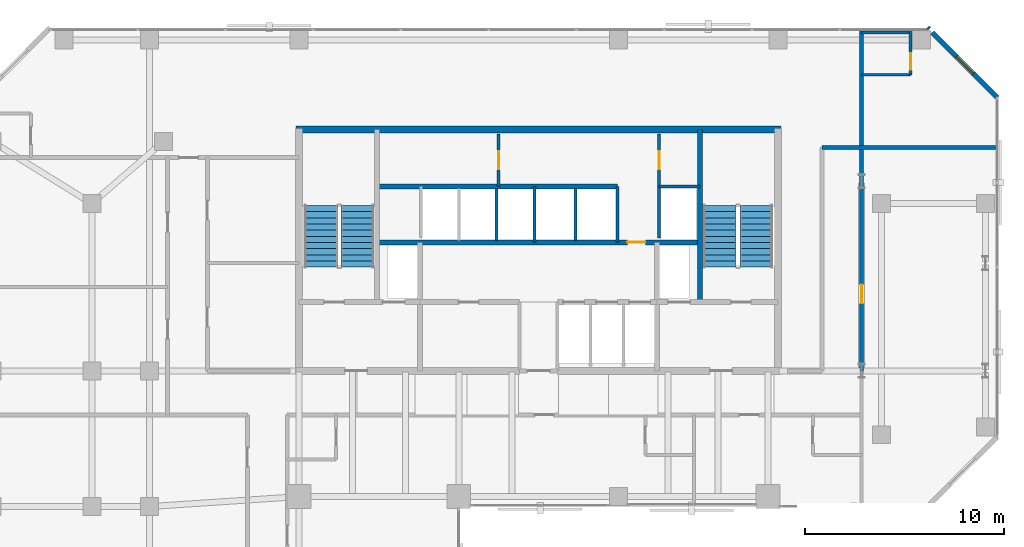
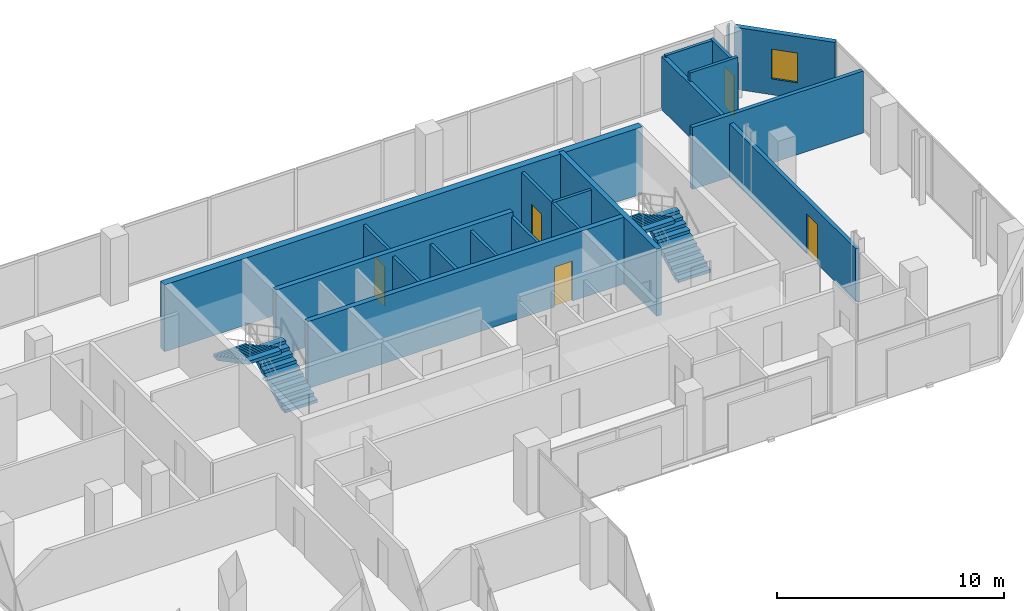
# One storey, part 30 of 33: 19 walls, 5 doors, 4 stair flights, 1 window, 6 openings, 2 elements without a shape of their own.
"""IFC4 building model written with IfcOpenShell, lengths in metres."""

from ifc_helpers import new_model, si_unit, direction, frame, frame_2d, origin, place, context, subcontext, project, spatial, polyline, rectangle, outline, extrude, material, layer, layer_set, type_object, element, fill, aggregate, save


model = new_model("IFC4")

# Units and contexts
model_context = context("Model", 3, precision=1e-05, world=origin(), true_north=direction((0.0, 1.0)))
body_context = subcontext(model_context, "Body", "Model", "MODEL_VIEW")
ifc_project = project(units=[si_unit("LENGTHUNIT", "METRE"), si_unit("AREAUNIT", "SQUARE_METRE"), si_unit("VOLUMEUNIT", "CUBIC_METRE"), si_unit("PLANEANGLEUNIT", "RADIAN"), si_unit("MASSUNIT", "GRAM", prefix="KILO")], contexts=[model_context])

# Site, building, storey
site_placement = place(None, origin())
site = spatial("IfcSite", under=ifc_project, at=site_placement, CompositionType="ELEMENT")
building_placement = place(site_placement, origin())
building = spatial("IfcBuilding", under=site, at=building_placement, Name="Catumbela Crestline Tower", CompositionType="ELEMENT")
storey_placement = place(building_placement, frame((0.0, 0.0, 104.4)))
storey = spatial("IfcBuildingStorey", under=building, at=storey_placement, Name="L26", CompositionType="ELEMENT", Elevation=104.4)

# Wall
ifc_material_1 = material(Name="Concrete C50/60", Category="concrete")
ifc_layer_1 = layer(ifc_material_1, 0.25, Name="Concrete C50/60")
ifc_layer_set_1 = layer_set([ifc_layer_1], Name="Concrete C50/60")
wall_type_1 = type_object("IfcWallType", Name="CW-250D", PredefinedType="SHEAR", material=ifc_layer_set_1)
wall_1_placement = place(storey_placement, frame((36.1, 34.25, 0.0), z_axis=(0.0, 0.0, 1.0), x_axis=(0.0, 1.0, 0.0)))
element("IfcWall", 1, at=wall_1_placement, inside=storey, type_object=wall_type_1, Name="L26 Structural Core Shear Wall EWEB", PredefinedType="SHEAR", context=body_context, shape_type="SweptSolid", body=[
    extrude(rectangle(XDim=8.65, YDim=0.25, at=frame_2d((4.325, 0.0))), origin(), (0.0, 0.0, 1.0), 3.6),
])

# Wall, opening, door
wall_2_placement = place(storey_placement, frame((19.9, 37.25, 0.0), z_axis=(0.0, 0.0, 1.0), x_axis=(1.0, 0.0, 0.0)))
wall_2 = element("IfcWall", 2, at=wall_2_placement, inside=storey, type_object=wall_type_1, Name="L26 Structural Core Shear Wall LIFTN", PredefinedType="SHEAR", context=body_context, shape_type="SweptSolid", body=[
    extrude(rectangle(XDim=16.2, YDim=0.25, at=frame_2d((8.1, 0.0))), origin(), (0.0, 0.0, 1.0), 3.6),
])
opening_1_placement = place(wall_2_placement, frame((12.55, 0.0, 0.0)))
opening_1 = element("IfcOpeningElement", 3, at=opening_1_placement, cuts=wall_2, Name="Opening DF9-090", PredefinedType="OPENING", context=body_context, shape_type="SweptSolid", body=[
    extrude(rectangle(XDim=0.9, YDim=2.15, at=frame_2d((0.45, 1.075))), frame((0.0, 0.135, 0.0), z_axis=(0.0, -1.0, 0.0), x_axis=(1.0, 0.0, 0.0)), (0.0, 0.0, 1.0), 0.27),
])
ifc_material_2 = material(Name="Stainless steel EN 1.4401", Category="steel")
door_type_1 = type_object("IfcDoorType", Name="DF9-090", OperationType="NOTDEFINED", PredefinedType="DOOR", material=ifc_material_2)
door_1_placement = place(opening_1_placement, origin())
door_1 = element("IfcDoor", 4, at=door_1_placement, inside=storey, type_object=door_type_1, Name="L26 Interior Door DR-L26-CPAS1", OperationType="SINGLE_SWING_LEFT", OverallHeight=2.15, OverallWidth=0.9, PredefinedType="DOOR", context=body_context, shape_type="SweptSolid", body=[
    extrude(rectangle(XDim=0.9, YDim=2.15, at=frame_2d((0.45, 1.075))), frame((0.0, 0.025, 0.0), z_axis=(0.0, -1.0, 0.0), x_axis=(1.0, 0.0, 0.0)), (0.0, 0.0, 1.0), 0.05),
])
fill(opening_1, door_1)

# Walls
wall_3_placement = place(storey_placement, frame((19.9, 40.05, 0.0), z_axis=(0.0, 0.0, 1.0), x_axis=(1.0, 0.0, 0.0)))
element("IfcWall", 5, at=wall_3_placement, inside=storey, type_object=wall_type_1, Name="L26 Structural Core Shear Wall COREN", PredefinedType="SHEAR", context=body_context, shape_type="SweptSolid", body=[
    extrude(rectangle(XDim=12.05, YDim=0.25, at=frame_2d((6.025, 0.0))), origin(), (0.0, 0.0, 1.0), 3.6),
])
ifc_layer_2 = layer(ifc_material_1, 0.35, Name="Concrete C50/60")
ifc_layer_set_2 = layer_set([ifc_layer_2], Name="Concrete C50/60")
wall_type_2 = type_object("IfcWallType", Name="CW-350B", PredefinedType="SHEAR", material=ifc_layer_set_2)
wall_4_placement = place(storey_placement, frame((15.85, 42.9, 0.0), z_axis=(0.0, 0.0, 1.0), x_axis=(1.0, 0.0, 0.0)))
element("IfcWall", 6, at=wall_4_placement, inside=storey, type_object=wall_type_2, Name="L26 Structural Core Shear Wall N", PredefinedType="SHEAR", context=body_context, shape_type="SweptSolid", body=[
    extrude(rectangle(XDim=24.3, YDim=0.35, at=frame_2d((12.15, 0.0))), origin(), (0.0, 0.0, 1.0), 3.6),
])
ifc_material_3 = material(Name="Acoustic gypsum and mineral-wool partition")
ifc_layer_3 = layer(ifc_material_3, 0.2, Name="Acoustic gypsum and mineral-wool partition")
ifc_layer_set_3 = layer_set([ifc_layer_3], Name="Acoustic gypsum and mineral-wool partition")
wall_type_3 = type_object("IfcWallType", Name="WC-200", PredefinedType="PARTITIONING", material=ifc_layer_set_3)
wall_5_placement = place(storey_placement, frame((42.2, 42.0, 0.0), z_axis=(0.0, 0.0, 1.0), x_axis=(1.0, 0.0, 0.0)))
element("IfcWall", 7, at=wall_5_placement, inside=storey, type_object=wall_type_3, Name="L26 Interior Partition PW-L26-Z2CW-E3", PredefinedType="PARTITIONING", context=body_context, shape_type="SweptSolid", body=[
    extrude(rectangle(XDim=8.7, YDim=0.2, at=frame_2d((4.35, 0.0))), origin(), (0.0, 0.0, 1.0), 3.33),
])

# Wall, opening, door
wall_6_placement = place(storey_placement, frame((44.2, 30.8, 0.0), z_axis=(0.0, 0.0, 1.0), x_axis=(0.0, 1.0, 0.0)))
wall_6 = element("IfcWall", 8, at=wall_6_placement, inside=storey, type_object=wall_type_3, Name="L26 Interior Partition PW-L26-SE1-ENT", PredefinedType="PARTITIONING", context=body_context, shape_type="SweptSolid", body=[
    extrude(rectangle(XDim=17.1, YDim=0.2, at=frame_2d((8.55, 0.0))), origin(), (0.0, 0.0, 1.0), 2.87),
])
opening_2_placement = place(wall_6_placement, frame((3.3825, 0.0, 0.0)))
opening_2 = element("IfcOpeningElement", 9, at=opening_2_placement, cuts=wall_6, Name="Opening DF6-095", PredefinedType="OPENING", context=body_context, shape_type="SweptSolid", body=[
    extrude(rectangle(XDim=0.95, YDim=2.15, at=frame_2d((0.475, 1.075))), frame((0.0, 0.11, 0.0), z_axis=(0.0, -1.0, 0.0), x_axis=(1.0, 0.0, 0.0)), (0.0, 0.0, 1.0), 0.22),
])
ifc_material_4 = material(Name="Aluminium alloy AW-6060-T66", Category="aluminium")
door_type_2 = type_object("IfcDoorType", Name="DF6-095", OperationType="NOTDEFINED", PredefinedType="DOOR", material=ifc_material_4)
door_2_placement = place(opening_2_placement, origin())
door_2 = element("IfcDoor", 10, at=door_2_placement, inside=storey, type_object=door_type_2, Name="L26 Interior Door DR-L26-SE1-ENT", OperationType="SINGLE_SWING_RIGHT", OverallHeight=2.15, OverallWidth=0.95, PredefinedType="DOOR", context=body_context, shape_type="SweptSolid", body=[
    extrude(rectangle(XDim=0.95, YDim=2.15, at=frame_2d((0.475, 1.075))), frame((0.0, 0.025, 0.0), z_axis=(0.0, -1.0, 0.0), x_axis=(1.0, 0.0, 0.0)), (0.0, 0.0, 1.0), 0.05),
])
fill(opening_2, door_2)

# Wall, opening, window
ifc_material_5 = material(Name="Angolan grey-ochre granite", Category="masonry")
ifc_layer_4 = layer(ifc_material_5, 0.25, Name="Angolan grey-ochre granite")
ifc_layer_set_4 = layer_set([ifc_layer_4], Name="Angolan grey-ochre granite")
wall_type_4 = type_object("IfcWallType", Name="WE-250", PredefinedType="STANDARD", material=ifc_layer_set_4)
wall_7_placement = place(storey_placement, frame((51.0, 44.5, 0.0), z_axis=(0.0, 0.0, 1.0), x_axis=(-0.707106781187, 0.707106781187, 0.0)))
wall_7 = element("IfcWall", 11, at=wall_7_placement, inside=storey, type_object=wall_type_4, Name="L26 Granite Punched Window Wall 6-1", PredefinedType="STANDARD", context=body_context, shape_type="SweptSolid", body=[
    extrude(rectangle(XDim=4.6126, YDim=0.25, at=frame_2d((2.3063, 0.0))), origin(), (0.0, 0.0, 1.0), 3.33),
])
opening_3_placement = place(wall_7_placement, frame((1.7063, 0.0, 0.85)))
opening_3 = element("IfcOpeningElement", 12, at=opening_3_placement, cuts=wall_7, Name="Opening WN-02", PredefinedType="OPENING", context=body_context, shape_type="SweptSolid", body=[
    extrude(rectangle(XDim=1.2, YDim=1.6, at=frame_2d((0.6, 0.8))), frame((0.0, 0.135, 0.0), z_axis=(0.0, -1.0, 0.0), x_axis=(1.0, 0.0, 0.0)), (0.0, 0.0, 1.0), 0.27),
])
ifc_material_6 = material(Name="Low-E laminated solar-control double glazing", Category="glass")
window_type = type_object("IfcWindowType", Name="WO-1200", PartitioningType="SINGLE_PANEL", PredefinedType="WINDOW", material=ifc_material_6)
window_placement = place(opening_3_placement, origin())
window = element("IfcWindow", 13, at=window_placement, inside=storey, type_object=window_type, Name="L26 Facade Vision Window 152", OverallHeight=1.6, OverallWidth=1.2, PartitioningType="SINGLE_PANEL", PredefinedType="WINDOW", context=body_context, shape_type="SweptSolid", body=[
    extrude(rectangle(XDim=1.2, YDim=1.6, at=frame_2d((0.6, 0.8))), frame((0.0, 0.03, 0.0), z_axis=(0.0, -1.0, 0.0), x_axis=(1.0, 0.0, 0.0)), (0.0, 0.0, 1.0), 0.06),
])
fill(opening_3, window)

# Walls
wall_8_placement = place(storey_placement, frame((47.5616, 47.9384, 0.0), z_axis=(0.0, 0.0, 1.0), x_axis=(-0.707106781187, 0.707106781187, 0.0)))
element("IfcWall", 14, at=wall_8_placement, inside=storey, type_object=wall_type_4, Name="L26 Granite Punched Window Wall 6-2", PredefinedType="STANDARD", context=body_context, shape_type="SweptSolid", body=[
    extrude(rectangle(XDim=0.0871, YDim=0.25, at=frame_2d((0.0436, 0.0))), origin(), (0.0, 0.0, 1.0), 3.33),
])
ifc_layer_5 = layer(ifc_material_3, 0.15, Name="Acoustic gypsum and mineral-wool partition")
ifc_layer_set_5 = layer_set([ifc_layer_5], Name="Acoustic gypsum and mineral-wool partition")
wall_type_5 = type_object("IfcWallType", Name="WP-150", PredefinedType="PARTITIONING", material=ifc_layer_set_5)
wall_9_placement = place(storey_placement, frame((34.05, 40.05, 0.0), z_axis=(0.0, 0.0, 1.0), x_axis=(1.0, 0.0, 0.0)))
element("IfcWall", 15, at=wall_9_placement, inside=storey, type_object=wall_type_5, Name="L26 Interior Partition PW-L26-CR-ES", PredefinedType="PARTITIONING", context=body_context, shape_type="SweptSolid", body=[
    extrude(rectangle(XDim=2.05, YDim=0.15, at=frame_2d((1.025, 0.0))), origin(), (0.0, 0.0, 1.0), 3.33),
])

# Wall, opening, door
wall_10_placement = place(storey_placement, frame((34.05, 40.05, 0.0), z_axis=(0.0, 0.0, 1.0), x_axis=(0.0, 1.0, 0.0)))
wall_10 = element("IfcWall", 16, at=wall_10_placement, inside=storey, type_object=wall_type_5, Name="L26 Interior Partition PW-L26-CR-EW", PredefinedType="PARTITIONING", context=body_context, shape_type="SweptSolid", body=[
    extrude(rectangle(XDim=2.63, YDim=0.15, at=frame_2d((1.315, 0.0))), origin(), (0.0, 0.0, 1.0), 3.33),
])
opening_4_placement = place(wall_10_placement, frame((0.865, 0.0, 0.0)))
opening_4 = element("IfcOpeningElement", 17, at=opening_4_placement, cuts=wall_10, Name="Opening DF9-090", PredefinedType="OPENING", context=body_context, shape_type="SweptSolid", body=[
    extrude(rectangle(XDim=0.9, YDim=2.15, at=frame_2d((0.45, 1.075))), frame((0.0, 0.085, 0.0), z_axis=(0.0, -1.0, 0.0), x_axis=(1.0, 0.0, 0.0)), (0.0, 0.0, 1.0), 0.17),
])
door_3_placement = place(opening_4_placement, origin())
door_3 = element("IfcDoor", 18, at=door_3_placement, inside=storey, type_object=door_type_1, Name="L26 Interior Door DR-L26-CREAST", OperationType="SINGLE_SWING_RIGHT", OverallHeight=2.15, OverallWidth=0.9, PredefinedType="DOOR", context=body_context, shape_type="SweptSolid", body=[
    extrude(rectangle(XDim=0.9, YDim=2.15, at=frame_2d((0.45, 1.075))), frame((0.0, 0.025, 0.0), z_axis=(0.0, -1.0, 0.0), x_axis=(1.0, 0.0, 0.0)), (0.0, 0.0, 1.0), 0.05),
])
fill(opening_4, door_3)

wall_11_placement = place(storey_placement, frame((26.0, 40.05, 0.0), z_axis=(0.0, 0.0, 1.0), x_axis=(0.0, 1.0, 0.0)))
wall_11 = element("IfcWall", 19, at=wall_11_placement, inside=storey, type_object=wall_type_5, Name="L26 Interior Partition PW-L26-CR-WW", PredefinedType="PARTITIONING", context=body_context, shape_type="SweptSolid", body=[
    extrude(rectangle(XDim=2.63, YDim=0.15, at=frame_2d((1.315, 0.0))), origin(), (0.0, 0.0, 1.0), 3.33),
])
opening_5_placement = place(wall_11_placement, frame((0.865, 0.0, 0.0)))
opening_5 = element("IfcOpeningElement", 20, at=opening_5_placement, cuts=wall_11, Name="Opening DF9-090", PredefinedType="OPENING", context=body_context, shape_type="SweptSolid", body=[
    extrude(rectangle(XDim=0.9, YDim=2.15, at=frame_2d((0.45, 1.075))), frame((0.0, 0.085, 0.0), z_axis=(0.0, -1.0, 0.0), x_axis=(1.0, 0.0, 0.0)), (0.0, 0.0, 1.0), 0.17),
])
door_4_placement = place(opening_5_placement, origin())
door_4 = element("IfcDoor", 21, at=door_4_placement, inside=storey, type_object=door_type_1, Name="L26 Interior Door DR-L26-CRWEST", OperationType="SINGLE_SWING_LEFT", OverallHeight=2.15, OverallWidth=0.9, PredefinedType="DOOR", context=body_context, shape_type="SweptSolid", body=[
    extrude(rectangle(XDim=0.9, YDim=2.15, at=frame_2d((0.45, 1.075))), frame((0.0, 0.025, 0.0), z_axis=(0.0, -1.0, 0.0), x_axis=(1.0, 0.0, 0.0)), (0.0, 0.0, 1.0), 0.05),
])
fill(opening_5, door_4)

# Wall
wall_12_placement = place(storey_placement, frame((44.2, 45.65, 0.0), z_axis=(0.0, 0.0, 1.0), x_axis=(1.0, 0.0, 0.0)))
element("IfcWall", 22, at=wall_12_placement, inside=storey, type_object=wall_type_5, Name="L26 Interior Partition PW-L26-SE1-BSW", PredefinedType="PARTITIONING", context=body_context, shape_type="SweptSolid", body=[
    extrude(rectangle(XDim=2.45, YDim=0.15, at=frame_2d((1.225, 0.0))), origin(), (0.0, 0.0, 1.0), 3.33),
])

# Wall, opening, door
wall_13_placement = place(storey_placement, frame((46.65, 45.65, 0.0), z_axis=(0.0, 0.0, 1.0), x_axis=(0.0, 1.0, 0.0)))
wall_13 = element("IfcWall", 23, at=wall_13_placement, inside=storey, type_object=wall_type_5, Name="L26 Interior Partition PW-L26-SE1-BEW", PredefinedType="PARTITIONING", context=body_context, shape_type="SweptSolid", body=[
    extrude(rectangle(XDim=2.25, YDim=0.15, at=frame_2d((1.125, 0.0))), origin(), (0.0, 0.0, 1.0), 2.96),
])
opening_6_placement = place(wall_13_placement, frame((0.24, 0.0, 0.0)))
opening_6 = element("IfcOpeningElement", 24, at=opening_6_placement, cuts=wall_13, Name="Opening DI-085", PredefinedType="OPENING", context=body_context, shape_type="SweptSolid", body=[
    extrude(rectangle(XDim=0.85, YDim=2.15, at=frame_2d((0.425, 1.075))), frame((0.0, 0.085, 0.0), z_axis=(0.0, -1.0, 0.0), x_axis=(1.0, 0.0, 0.0)), (0.0, 0.0, 1.0), 0.17),
])
door_type_3 = type_object("IfcDoorType", Name="DI-085", OperationType="NOTDEFINED", PredefinedType="DOOR", material=ifc_material_4)
door_5_placement = place(opening_6_placement, origin())
door_5 = element("IfcDoor", 25, at=door_5_placement, inside=storey, type_object=door_type_3, Name="L26 Interior Door DR-L26-SE1-BTH", OperationType="SINGLE_SWING_LEFT", OverallHeight=2.15, OverallWidth=0.85, PredefinedType="DOOR", context=body_context, shape_type="SweptSolid", body=[
    extrude(rectangle(XDim=0.85, YDim=2.15, at=frame_2d((0.425, 1.075))), frame((0.0, 0.025, 0.0), z_axis=(0.0, -1.0, 0.0), x_axis=(1.0, 0.0, 0.0)), (0.0, 0.0, 1.0), 0.05),
])
fill(opening_6, door_5)

# Walls
wall_14_placement = place(storey_placement, frame((44.2, 47.78, 0.0), z_axis=(0.0, 0.0, 1.0), x_axis=(1.0, 0.0, 0.0)))
element("IfcWall", 26, at=wall_14_placement, inside=storey, type_object=wall_type_5, Name="L26 Interior Partition PW-L26-SE1-BCL-2", PredefinedType="PARTITIONING", context=body_context, shape_type="SweptSolid", body=[
    extrude(rectangle(XDim=2.45, YDim=0.15, at=frame_2d((1.225, 0.0))), origin(), (0.0, 0.0, 1.0), 2.96),
])
ifc_layer_6 = layer(ifc_material_3, 0.15, Name="Acoustic gypsum and mineral-wool partition")
ifc_layer_set_6 = layer_set([ifc_layer_6], Name="Acoustic gypsum and mineral-wool partition")
wall_type_6 = type_object("IfcWallType", Name="WS-150", PredefinedType="PLUMBINGWALL", material=ifc_layer_set_6)
wall_15_placement = place(storey_placement, frame((27.8, 37.25, 0.0), z_axis=(0.0, 0.0, 1.0), x_axis=(0.0, 1.0, 0.0)))
element("IfcWall", 27, at=wall_15_placement, inside=storey, type_object=wall_type_6, Name="L26 Interior Partition PW-L26-SHH3", PredefinedType="PLUMBINGWALL", context=body_context, shape_type="SweptSolid", body=[
    extrude(rectangle(XDim=2.8, YDim=0.15, at=frame_2d((1.4, 0.0))), origin(), (0.0, 0.0, 1.0), 3.33),
])
wall_16_placement = place(storey_placement, frame((25.9, 37.35, 0.0), z_axis=(0.0, 0.0, 1.0), x_axis=(0.0, 1.0, 0.0)))
element("IfcWall", 28, at=wall_16_placement, inside=storey, type_object=wall_type_6, Name="L26 Interior Partition PW-L26-SHH2", PredefinedType="PLUMBINGWALL", context=body_context, shape_type="SweptSolid", body=[
    extrude(rectangle(XDim=2.6, YDim=0.15, at=frame_2d((1.3, 0.0))), origin(), (0.0, 0.0, 1.0), 3.33),
])
wall_17_placement = place(storey_placement, frame((31.95, 37.25, 0.0), z_axis=(0.0, 0.0, 1.0), x_axis=(0.0, 1.0, 0.0)))
element("IfcWall", 29, at=wall_17_placement, inside=storey, type_object=wall_type_6, Name="L26 Interior Partition PW-L26-SHEX2E", PredefinedType="PLUMBINGWALL", context=body_context, shape_type="SweptSolid", body=[
    extrude(rectangle(XDim=2.8, YDim=0.15, at=frame_2d((1.4, 0.0))), origin(), (0.0, 0.0, 1.0), 3.33),
])
wall_18_placement = place(storey_placement, frame((29.85, 37.35, 0.0), z_axis=(0.0, 0.0, 1.0), x_axis=(0.0, 1.0, 0.0)))
element("IfcWall", 30, at=wall_18_placement, inside=storey, type_object=wall_type_6, Name="L26 Interior Partition PW-L26-SHEX1", PredefinedType="PLUMBINGWALL", context=body_context, shape_type="SweptSolid", body=[
    extrude(rectangle(XDim=2.6, YDim=0.15, at=frame_2d((1.3, 0.0))), origin(), (0.0, 0.0, 1.0), 3.33),
])
wall_19_placement = place(storey_placement, frame((34.05, 37.4734, 0.0), z_axis=(0.0, 0.0, 1.0), x_axis=(0.0, 1.0, 0.0)))
element("IfcWall", 31, at=wall_19_placement, inside=storey, type_object=wall_type_6, Name="L26 Interior Partition PW-L26-RISW", PredefinedType="PLUMBINGWALL", context=body_context, shape_type="SweptSolid", body=[
    extrude(rectangle(XDim=2.5766, YDim=0.15, at=frame_2d((1.2883, 0.0))), origin(), (0.0, 0.0, 1.0), 3.33),
])

# Stair, stair flights
ifc_material_7 = material(Name="Concrete C45/55", Category="concrete")
stair_type = type_object("IfcStairType", Name="ST-DLG", PredefinedType="HALF_TURN_STAIR", material=ifc_material_7)
stair_1_placement = place(storey_placement, origin())
stair_1 = element("IfcStair", 32, at=stair_1_placement, inside=storey, type_object=stair_type, Name="L26 West Core Pressurised Exit Stair ST-01", PredefinedType="HALF_TURN_STAIR")
stair_flight_type = type_object("IfcStairFlightType", Name="SF-1636", PredefinedType="STRAIGHT", material=ifc_material_7)
stair_flight_1_placement = place(storey_placement, frame((18.92, 36.0, 0.0), z_axis=(0.0, 0.0, 1.0), x_axis=(0.0, 1.0, 0.0)))
stair_flight_1 = element("IfcStairFlight", 33, at=stair_flight_1_placement, type_object=stair_flight_type, Name="ST-01 flight 1", NumberOfRisers=11, NumberOfTreads=10, PredefinedType="STRAIGHT", RiserHeight=0.163636364, TreadLength=0.31, context=body_context, shape_type="SweptSolid", body=[
    extrude(outline(polyline([(0.0, 0.0), (0.0, 0.1636), (0.31, 0.1636), (0.31, 0.3273), (0.62, 0.3273), (0.62, 0.4909), (0.93, 0.4909), (0.93, 0.6545), (1.24, 0.6545), (1.24, 0.8182), (1.55, 0.8182), (1.55, 0.9818), (1.86, 0.9818), (1.86, 1.1455), (2.17, 1.1455), (2.17, 1.3091), (2.48, 1.3091), (2.48, 1.4727), (2.79, 1.4727), (2.79, 1.6364), (3.1, 1.6364), (3.1, 1.8), (3.1, 1.4554), (0.3427, 0.0), (0.0, 0.0)])), frame((0.0, 0.83, 0.0), z_axis=(0.0, -1.0, 0.0), x_axis=(1.0, 0.0, 0.0)), (0.0, 0.0, 1.0), 1.66),
])
stair_flight_2_placement = place(storey_placement, frame((17.08, 39.1, 1.8), z_axis=(0.0, 0.0, 1.0), x_axis=(0.0, -1.0, 0.0)))
stair_flight_2 = element("IfcStairFlight", 34, at=stair_flight_2_placement, type_object=stair_flight_type, Name="ST-01 flight 2", NumberOfRisers=11, NumberOfTreads=10, PredefinedType="STRAIGHT", RiserHeight=0.163636364, TreadLength=0.31, context=body_context, shape_type="SweptSolid", body=[
    extrude(outline(polyline([(0.0, 0.0), (0.0, 0.1636), (0.31, 0.1636), (0.31, 0.3273), (0.62, 0.3273), (0.62, 0.4909), (0.93, 0.4909), (0.93, 0.6545), (1.24, 0.6545), (1.24, 0.8182), (1.55, 0.8182), (1.55, 0.9818), (1.86, 0.9818), (1.86, 1.1455), (2.17, 1.1455), (2.17, 1.3091), (2.48, 1.3091), (2.48, 1.4727), (2.79, 1.4727), (2.79, 1.6364), (3.1, 1.6364), (3.1, 1.8), (3.1, 1.4554), (0.3427, 0.0), (0.0, 0.0)])), frame((0.0, 0.83, 0.0), z_axis=(0.0, -1.0, 0.0), x_axis=(1.0, 0.0, 0.0)), (0.0, 0.0, 1.0), 1.66),
])
aggregate(stair_1, [stair_flight_1, stair_flight_2])

stair_2_placement = place(storey_placement, origin())
stair_2 = element("IfcStair", 35, at=stair_2_placement, inside=storey, type_object=stair_type, Name="L26 East Core Pressurised Exit Stair ST-02", PredefinedType="HALF_TURN_STAIR")
stair_flight_3_placement = place(storey_placement, frame((38.92, 36.0, 0.0), z_axis=(0.0, 0.0, 1.0), x_axis=(0.0, 1.0, 0.0)))
stair_flight_3 = element("IfcStairFlight", 36, at=stair_flight_3_placement, type_object=stair_flight_type, Name="ST-02 flight 1", NumberOfRisers=11, NumberOfTreads=10, PredefinedType="STRAIGHT", RiserHeight=0.163636364, TreadLength=0.31, context=body_context, shape_type="SweptSolid", body=[
    extrude(outline(polyline([(0.0, 0.0), (0.0, 0.1636), (0.31, 0.1636), (0.31, 0.3273), (0.62, 0.3273), (0.62, 0.4909), (0.93, 0.4909), (0.93, 0.6545), (1.24, 0.6545), (1.24, 0.8182), (1.55, 0.8182), (1.55, 0.9818), (1.86, 0.9818), (1.86, 1.1455), (2.17, 1.1455), (2.17, 1.3091), (2.48, 1.3091), (2.48, 1.4727), (2.79, 1.4727), (2.79, 1.6364), (3.1, 1.6364), (3.1, 1.8), (3.1, 1.4554), (0.3427, 0.0), (0.0, 0.0)])), frame((0.0, 0.83, 0.0), z_axis=(0.0, -1.0, 0.0), x_axis=(1.0, 0.0, 0.0)), (0.0, 0.0, 1.0), 1.66),
])
stair_flight_4_placement = place(storey_placement, frame((37.08, 39.1, 1.8), z_axis=(0.0, 0.0, 1.0), x_axis=(0.0, -1.0, 0.0)))
stair_flight_4 = element("IfcStairFlight", 37, at=stair_flight_4_placement, type_object=stair_flight_type, Name="ST-02 flight 2", NumberOfRisers=11, NumberOfTreads=10, PredefinedType="STRAIGHT", RiserHeight=0.163636364, TreadLength=0.31, context=body_context, shape_type="SweptSolid", body=[
    extrude(outline(polyline([(0.0, 0.0), (0.0, 0.1636), (0.31, 0.1636), (0.31, 0.3273), (0.62, 0.3273), (0.62, 0.4909), (0.93, 0.4909), (0.93, 0.6545), (1.24, 0.6545), (1.24, 0.8182), (1.55, 0.8182), (1.55, 0.9818), (1.86, 0.9818), (1.86, 1.1455), (2.17, 1.1455), (2.17, 1.3091), (2.48, 1.3091), (2.48, 1.4727), (2.79, 1.4727), (2.79, 1.6364), (3.1, 1.6364), (3.1, 1.8), (3.1, 1.4554), (0.3427, 0.0), (0.0, 0.0)])), frame((0.0, 0.83, 0.0), z_axis=(0.0, -1.0, 0.0), x_axis=(1.0, 0.0, 0.0)), (0.0, 0.0, 1.0), 1.66),
])
aggregate(stair_2, [stair_flight_3, stair_flight_4])

save(model, "model.ifc")
